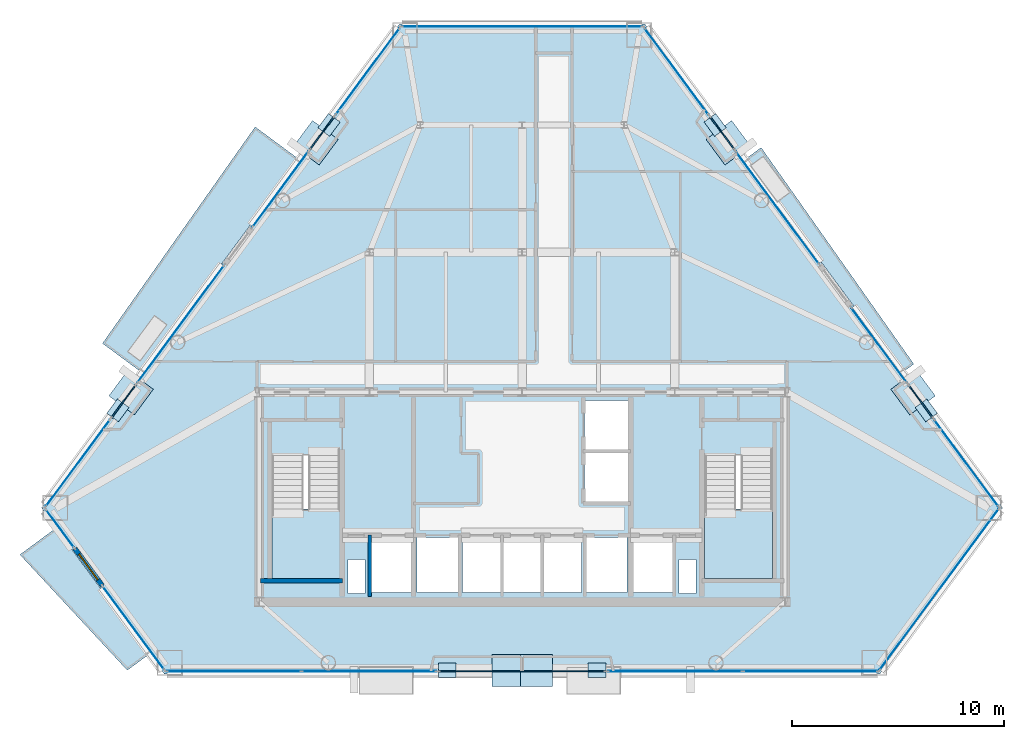
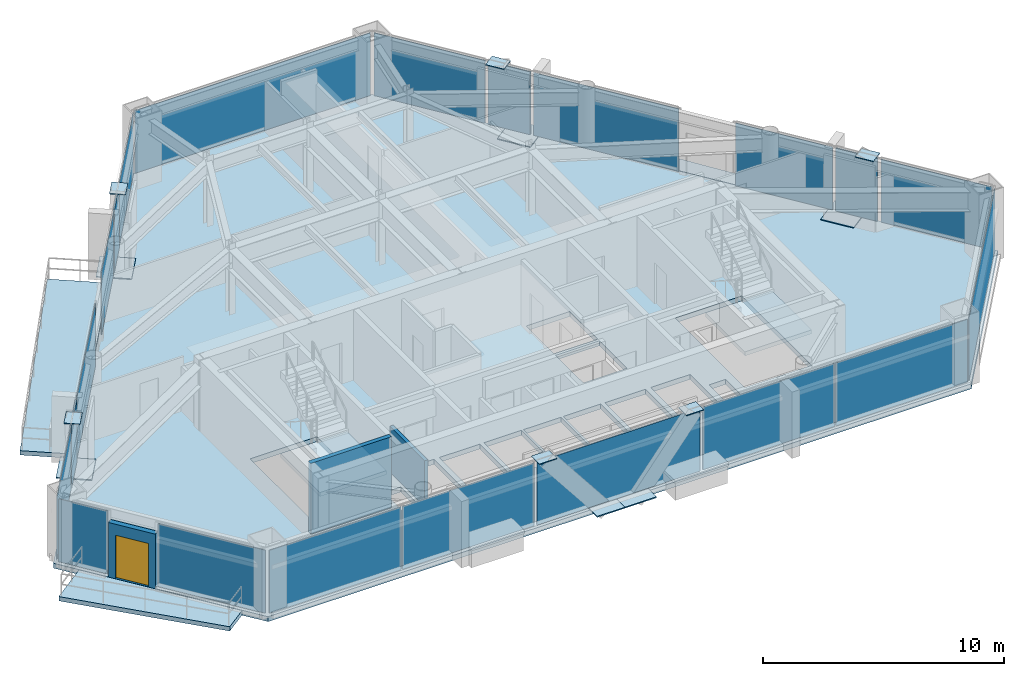
# One storey, part 6 of 11: 33 plates, 6 slabs, 3 walls, 1 door, 1 opening, 21 elements without a shape of their own.
"""IFC4 building model written with IfcOpenShell, lengths in metres."""

from ifc_helpers import new_model, si_unit, direction, frame, frame_2d, origin, origin_2d, place, context, subcontext, project, spatial, polyline, rectangle, outline, extrude, source, transform, mapped, material, layer, layer_set, type_object, type_shapes, element, fill, aggregate, save


model = new_model("IFC4")

# Units and contexts
model_context = context("Model", 3, precision=1e-05, world=origin(), true_north=direction((0.0, 1.0)))
body_context = subcontext(model_context, "Body", "Model", "MODEL_VIEW")
ifc_project = project(units=[si_unit("LENGTHUNIT", "METRE"), si_unit("AREAUNIT", "SQUARE_METRE"), si_unit("VOLUMEUNIT", "CUBIC_METRE"), si_unit("PLANEANGLEUNIT", "RADIAN"), si_unit("MASSUNIT", "GRAM", prefix="KILO")], contexts=[model_context])

# Site, building, storey
site_placement = place(None, origin())
site = spatial("IfcSite", under=ifc_project, at=site_placement, CompositionType="ELEMENT")
building_placement = place(site_placement, origin())
building = spatial("IfcBuilding", under=site, at=building_placement, Name="Talgorran Terracotta Tower", CompositionType="ELEMENT")
storey_placement = place(building_placement, frame((0.0, 0.0, 114.0)))
storey = spatial("IfcBuildingStorey", under=building, at=storey_placement, Name="L29", CompositionType="ELEMENT", Elevation=114.0)

# Plates
ifc_material_1 = material(Name="Steel Grade 350 (350L0)", Category="steel")
ifc_layer_1 = layer(ifc_material_1, 0.035888671875, Name="PL_CAP_MN06")
ifc_layer_set_1 = layer_set([ifc_layer_1], Name="Steel Grade 350 (350L0)")
plate_type_1 = type_object("IfcPlateType", Name="PL_CAP_MN06", PredefinedType="USERDEFINED", material=ifc_layer_set_1)
for number, where, z_axis, x_axis, name in (
    (1, (-3.528076171875, -17.3232421875, 3.2919921875), (0.0, 0.0, 1.0), (-1.0, 0.0, 0.0), "L29 Diagonal Frame End Cap SWF Top"),
    (2, (3.528076171875, -17.3232421875, 3.2919921875), (0.0, 0.0, 1.0), (1.0, 0.0, 0.0), "L29 Diagonal Frame End Cap SEF Top"),
    (3, (19.063720703125, -5.06103515625, 3.2919921875), (0.0, 0.0, 1.0), (0.594682478203, -0.803960664534, 0.0), "L29 Diagonal Frame End Cap NEL Top"),
    (4, (9.106689453125, 8.401123046875, 3.2919921875), (0.0, 0.0, 1.0), (-0.594682478203, 0.803960664534, 0.0), "L29 Diagonal Frame End Cap NEU Top"),
    (5, (-9.106689453125, 8.401123046875, 3.2919921875), (0.0, 0.0, 1.0), (0.594682478203, 0.803960664534, 0.0), "L29 Diagonal Frame End Cap NWU Top"),
    (6, (-19.063720703125, -5.06103515625, 3.2919921875), (0.0, 0.0, 1.0), (-0.594682478203, -0.803960664534, 0.0), "L29 Diagonal Frame End Cap NWL Top"),
):
    element("IfcPlate", number, at=place(storey_placement, frame(where, z_axis=z_axis, x_axis=x_axis)), inside=storey, type_object=plate_type_1, Name=name, ObjectType="CAP PLATE", PredefinedType="USERDEFINED", context=body_context, shape_type="SweptSolid", body=[
        extrude(rectangle(XDim=0.840087890625, YDim=0.679931640625, at=origin_2d()), origin(), (0.0, 0.0, 1.0), 0.035888671875),
    ])
ifc_layer_2 = layer(ifc_material_1, 0.054931640625, Name="PL_NODE_MN02")
ifc_layer_set_2 = layer_set([ifc_layer_2], Name="Steel Grade 350 (350L0)")
plate_type_2 = type_object("IfcPlateType", Name="PL_NODE_MN02", PredefinedType="USERDEFINED", material=ifc_layer_set_2)
for number, where, z_axis, x_axis, name in (
    (7, (-0.672119140625, -17.3232421875, -0.017578125), (0.0, 0.0, 1.0), (-1.0, 0.0, 0.0), "L29 Diagonal Frame End Cap SWF Bot"),
    (8, (0.672119140625, -17.3232421875, -0.017578125), (0.0, 0.0, 1.0), (1.0, 0.0, 0.0), "L29 Diagonal Frame End Cap SEF Bot"),
    (9, (18.443359375, -4.22265625, -0.017578125), (0.0, 0.0, 1.0), (0.594682478203, -0.803960664534, 0.0), "L29 Diagonal Frame End Cap NEL Bot"),
    (10, (9.72705078125, 7.5625, -0.017578125), (0.0, 0.0, 1.0), (-0.594682478203, 0.803960664534, 0.0), "L29 Diagonal Frame End Cap NEU Bot"),
    (11, (-9.72705078125, 7.5625, -0.017578125), (0.0, 0.0, 1.0), (0.594682478203, 0.803960664534, 0.0), "L29 Diagonal Frame End Cap NWU Bot"),
    (12, (-18.443359375, -4.22265625, -0.017578125), (0.0, 0.0, 1.0), (-0.594682478203, -0.803960664534, 0.0), "L29 Diagonal Frame End Cap NWL Bot"),
):
    element("IfcPlate", number, at=place(storey_placement, frame(where, z_axis=z_axis, x_axis=x_axis)), inside=storey, type_object=plate_type_2, Name=name, ObjectType="NODE PLATE", PredefinedType="USERDEFINED", context=body_context, shape_type="SweptSolid", body=[
        extrude(rectangle(XDim=1.5, YDim=1.5, at=origin_2d()), origin(), (0.0, 0.0, 1.0), 0.054931640625),
    ])

# Slabs
ifc_material_2 = material(Name="Concrete C40/50", Category="concrete")
ifc_layer_3 = layer(ifc_material_2, 0.219970703125, Name="SL_BALCONY_220")
ifc_layer_set_3 = layer_set([ifc_layer_3], Name="Concrete C40/50")
slab_type_1 = type_object("IfcSlabType", Name="SL_BALCONY_220", PredefinedType="FLOOR", material=ifc_layer_set_3)
slab_1_placement = place(storey_placement, frame((0.0, 0.0, -0.219970703125)))
element("IfcSlab", 13, at=slab_1_placement, inside=storey, type_object=slab_type_1, Name="L29 Outdoor Wave Balcony BAL-NE", PredefinedType="FLOOR", context=body_context, shape_type="SweptSolid", body=[
    extrude(outline(polyline([(10.523193359375, 6.780029296875), (17.95068359375, -3.26220703125), (18.47314453125, -2.8759765625), (11.273193359375, 7.334716796875), (10.523193359375, 6.780029296875)])), origin(), (0.0, 0.0, 1.0), 0.219970703125),
])
slab_2_placement = place(storey_placement, frame((0.0, 0.0, -0.219970703125)))
element("IfcSlab", 14, at=slab_2_placement, inside=storey, type_object=slab_type_1, Name="L29 Outdoor Wave Balcony BAL-NW", PredefinedType="FLOOR", context=body_context, shape_type="SweptSolid", body=[
    extrude(outline(polyline([(-17.95068359375, -3.26220703125), (-10.523193359375, 6.780029296875), (-12.58984375, 8.30859375), (-19.789794921875, -1.902099609375), (-17.95068359375, -3.26220703125)])), origin(), (0.0, 0.0, 1.0), 0.219970703125),
])
slab_3_placement = place(storey_placement, frame((0.0, 0.0, -0.219970703125)))
element("IfcSlab", 15, at=slab_3_placement, inside=storey, type_object=slab_type_1, Name="L29 Outdoor Wave Balcony BAL-SW", PredefinedType="FLOOR", context=body_context, shape_type="SweptSolid", body=[
    extrude(outline(polyline([(-17.586669921875, -16.5537109375), (-21.983154296875, -10.609375), (-23.682373046875, -11.8662109375), (-18.621337890625, -17.31884765625), (-17.586669921875, -16.5537109375)])), origin(), (0.0, 0.0, 1.0), 0.219970703125),
])

# Stair, slab
stair_type = type_object("IfcStairType", Name="ST_FIRE_SCISSOR", PredefinedType="HALF_TURN_STAIR", material=ifc_material_2)
stair_1_placement = place(storey_placement, origin())
stair_1 = element("IfcStair", 16, at=stair_1_placement, inside=storey, type_object=stair_type, Name="L29 West Protected Fire Stair ST-01", PredefinedType="HALF_TURN_STAIR")
ifc_layer_4 = layer(ifc_material_2, 0.199951171875, Name="SL_LANDING_200")
ifc_layer_set_4 = layer_set([ifc_layer_4], Name="Concrete C40/50")
slab_type_2 = type_object("IfcSlabType", Name="SL_LANDING_200", PredefinedType="LANDING", material=ifc_layer_set_4)
slab_4_placement = place(storey_placement, frame((0.0, 0.0, 1.60009765625)))
slab_4 = element("IfcSlab", 17, at=slab_4_placement, type_object=slab_type_2, Name="ST-01 landing 1", PredefinedType="LANDING", context=body_context, shape_type="SweptSolid", body=[
    extrude(outline(polyline([(-11.800048828125, -9.719970703125), (-11.800048828125, -13.0), (-8.60009765625, -13.0), (-8.60009765625, -9.719970703125), (-11.800048828125, -9.719970703125)])), origin(), (0.0, 0.0, 1.0), 0.199951171875),
])
aggregate(stair_1, [slab_4])

stair_2_placement = place(storey_placement, origin())
stair_2 = element("IfcStair", 18, at=stair_2_placement, inside=storey, type_object=stair_type, Name="L29 East Protected Fire Stair ST-02", PredefinedType="HALF_TURN_STAIR")
slab_5_placement = place(storey_placement, frame((0.0, 0.0, 1.60009765625)))
slab_5 = element("IfcSlab", 19, at=slab_5_placement, type_object=slab_type_2, Name="ST-02 landing 1", PredefinedType="LANDING", context=body_context, shape_type="SweptSolid", body=[
    extrude(outline(polyline([(8.60009765625, -9.719970703125), (8.60009765625, -13.0), (11.800048828125, -13.0), (11.800048828125, -9.719970703125), (8.60009765625, -9.719970703125)])), origin(), (0.0, 0.0, 1.0), 0.199951171875),
])
aggregate(stair_2, [slab_5])

# Slab
ifc_layer_5 = layer(ifc_material_2, 0.25, Name="SL_TOWER_250")
ifc_layer_set_5 = layer_set([ifc_layer_5], Name="Concrete C40/50")
slab_type_3 = type_object("IfcSlabType", Name="SL_TOWER_250", PredefinedType="FLOOR", material=ifc_layer_set_5)
slab_6_placement = place(storey_placement, frame((0.0, 0.0, -0.25)))
element("IfcSlab", 20, at=slab_6_placement, inside=storey, type_object=slab_type_3, Name="Storey L29 Structural Floor Slab", PredefinedType="FLOOR", context=body_context, shape_type="SweptSolid", body=[
    extrude(outline(polyline([(-22.665283203125, -9.661865234375), (-16.880615234375, -17.4833984375), (16.880615234375, -17.4833984375), (22.665283203125, -9.661865234375), (5.78466796875, 13.161865234375), (-5.78466796875, 13.161865234375), (-22.665283203125, -9.661865234375)]), holes=[polyline([(-11.800048828125, -7.199951171875), (-11.800048828125, -13.0), (-8.60009765625, -13.0), (-8.60009765625, -7.199951171875), (-11.800048828125, -7.199951171875)]), polyline([(8.60009765625, -7.199951171875), (8.60009765625, -13.0), (11.800048828125, -13.0), (11.800048828125, -7.199951171875), (8.60009765625, -7.199951171875)]), polyline([(-7.10009765625, -13.64990234375), (-5.199951171875, -13.64990234375), (-5.199951171875, -11.050048828125), (-7.10009765625, -11.050048828125), (-7.10009765625, -13.64990234375)]), polyline([(5.199951171875, -13.64990234375), (7.10009765625, -13.64990234375), (7.10009765625, -11.050048828125), (5.199951171875, -11.050048828125), (5.199951171875, -13.64990234375)]), polyline([(3.0, -13.64990234375), (4.949951171875, -13.64990234375), (4.949951171875, -11.050048828125), (3.0, -11.050048828125), (3.0, -13.64990234375)]), polyline([(-4.949951171875, -13.64990234375), (-3.0, -13.64990234375), (-3.0, -11.050048828125), (-4.949951171875, -11.050048828125), (-4.949951171875, -13.64990234375)]), polyline([(2.949951171875, -9.35009765625), (5.050048828125, -9.35009765625), (5.050048828125, -7.050048828125), (2.949951171875, -7.050048828125), (2.949951171875, -9.35009765625)]), polyline([(2.949951171875, -6.89990234375), (5.050048828125, -6.89990234375), (5.050048828125, -4.60009765625), (2.949951171875, -4.60009765625), (2.949951171875, -6.89990234375)]), polyline([(-2.800048828125, -13.64990234375), (-1.0, -13.64990234375), (-1.0, -11.050048828125), (-2.800048828125, -11.050048828125), (-2.800048828125, -13.64990234375)]), polyline([(-0.89990234375, -13.64990234375), (0.89990234375, -13.64990234375), (0.89990234375, -11.050048828125), (-0.89990234375, -11.050048828125), (-0.89990234375, -13.64990234375)]), polyline([(1.0, -13.64990234375), (2.800048828125, -13.64990234375), (2.800048828125, -11.050048828125), (1.0, -11.050048828125), (1.0, -13.64990234375)]), polyline([(-8.199951171875, -13.699951171875), (-7.39990234375, -13.699951171875), (-7.39990234375, -12.10009765625), (-8.199951171875, -12.10009765625), (-8.199951171875, -13.699951171875)]), polyline([(7.39990234375, -13.699951171875), (8.199951171875, -13.699951171875), (8.199951171875, -12.10009765625), (7.39990234375, -12.10009765625), (7.39990234375, -13.699951171875)])]), origin(), (0.0, 0.0, 1.0), 0.25),
])

# Curtain wall, plate
ifc_material_3 = material(Name="Unitised Low-E Double Glazing", Category="glass")
ifc_layer_6 = layer(ifc_material_3, 0.199951171875, Name="CW_SYS2_RES_LOW")
ifc_layer_set_6 = layer_set([ifc_layer_6], Name="Unitised Low-E Double Glazing")
curtain_wall_type = type_object("IfcCurtainWallType", Name="CW_SYS2_RES_LOW", PredefinedType="NOTDEFINED", material=ifc_layer_set_6)
curtain_wall_1_placement = place(storey_placement, origin())
curtain_wall_1 = element("IfcCurtainWall", 21, at=curtain_wall_1_placement, inside=storey, type_object=curtain_wall_type, Name="CW-L29-F10", PredefinedType="NOTDEFINED")
ifc_material_4 = material(Name="Low-E Laminated Vision Glass", Category="glass")
ifc_layer_7 = layer(ifc_material_4, 0.028076171875, Name="PLT_VISION_28")
ifc_layer_set_7 = layer_set([ifc_layer_7], Name="Low-E Laminated Vision Glass")
plate_type_3 = type_object("IfcPlateType", Name="PLT_VISION_28", PredefinedType="CURTAIN_PANEL", material=ifc_layer_set_7)
shared_shape_1 = source(origin(), body_context, "Body", "SweptSolid", [
    extrude(rectangle(XDim=2.217529296875, YDim=0.028076171875, at=origin_2d()), origin(), (0.0, 0.0, 1.0), 3.18994140625),
])
plate_1_placement = place(storey_placement, frame((-21.794189453125, -10.6376953125, 0.06494140625), z_axis=(0.0, 0.0, 1.0), x_axis=(0.594649753428, -0.803984869726, 0.0)))
plate_1 = element("IfcPlate", 22, at=plate_1_placement, type_object=plate_type_3, Name="CW-L29-10 panel 1.1", PredefinedType="CURTAIN_PANEL", context=body_context, shape_type="MappedRepresentation", body=[
    mapped(shared_shape_1, transform((0.0, 0.0, 0.0), scale=1.0)),
])
aggregate(curtain_wall_1, [plate_1])

curtain_wall_2_placement = place(storey_placement, origin())
curtain_wall_2 = element("IfcCurtainWall", 23, at=curtain_wall_2_placement, inside=storey, type_object=curtain_wall_type, Name="CW-L29-F11", PredefinedType="NOTDEFINED")
shared_shape_2 = source(origin(), body_context, "Body", "SweptSolid", [
    extrude(rectangle(XDim=4.861328125, YDim=0.028076171875, at=origin_2d()), origin(), (0.0, 0.0, 1.0), 3.18994140625),
])
plate_2_placement = place(storey_placement, frame((-18.327880859375, -15.32470703125, 0.06494140625), z_axis=(0.0, 0.0, 1.0), x_axis=(0.594646214814, -0.803987486972, 0.0)))
plate_2 = element("IfcPlate", 24, at=plate_2_placement, type_object=plate_type_3, Name="CW-L29-11 panel 1.1", PredefinedType="CURTAIN_PANEL", context=body_context, shape_type="MappedRepresentation", body=[
    mapped(shared_shape_2, transform((0.0, 0.0, 0.0), scale=1.0)),
])
aggregate(curtain_wall_2, [plate_2])

# Curtain wall, plates
curtain_wall_3_placement = place(storey_placement, origin())
curtain_wall_3 = element("IfcCurtainWall", 25, at=curtain_wall_3_placement, inside=storey, type_object=curtain_wall_type, Name="CW-L29-F1", PredefinedType="NOTDEFINED")
shared_shape_3 = source(origin(), body_context, "Body", "SweptSolid", [
    extrude(rectangle(XDim=6.318115234375, YDim=0.028076171875, at=origin_2d()), origin(), (0.0, 0.0, 1.0), 3.18994140625),
])
plate_3_placement = place(storey_placement, frame((-13.595947265625, -17.36328125, 0.06494140625), z_axis=(0.0, 0.0, 1.0), x_axis=(1.0, 0.0, 0.0)))
plate_3 = element("IfcPlate", 26, at=plate_3_placement, type_object=plate_type_3, Name="CW-L29-1 panel 1.1", PredefinedType="CURTAIN_PANEL", context=body_context, shape_type="MappedRepresentation", body=[
    mapped(shared_shape_3, transform((0.0, 0.0, 0.0), scale=1.0)),
])
plate_4_placement = place(storey_placement, frame((-7.212890625, -17.36328125, 0.06494140625), z_axis=(0.0, 0.0, 1.0), x_axis=(1.0, 0.0, 0.0)))
plate_4 = element("IfcPlate", 27, at=plate_4_placement, type_object=plate_type_3, Name="CW-L29-1 panel 2.1", PredefinedType="CURTAIN_PANEL", context=body_context, shape_type="MappedRepresentation", body=[
    mapped(shared_shape_3, transform((0.0, 0.0, 0.0), scale=1.0)),
])
aggregate(curtain_wall_3, [plate_3, plate_4])

curtain_wall_4_placement = place(storey_placement, origin())
curtain_wall_4 = element("IfcCurtainWall", 28, at=curtain_wall_4_placement, inside=storey, type_object=curtain_wall_type, Name="CW-L29-F1C", PredefinedType="NOTDEFINED")
plate_5_placement = place(storey_placement, frame((7.212890625, -17.36328125, 0.06494140625), z_axis=(0.0, 0.0, 1.0), x_axis=(1.0, 0.0, 0.0)))
plate_5 = element("IfcPlate", 29, at=plate_5_placement, type_object=plate_type_3, Name="CW-L29-1C panel 1.1", PredefinedType="CURTAIN_PANEL", context=body_context, shape_type="MappedRepresentation", body=[
    mapped(shared_shape_3, transform((0.0, 0.0, 0.0), scale=1.0)),
])
plate_6_placement = place(storey_placement, frame((13.595947265625, -17.36328125, 0.06494140625), z_axis=(0.0, 0.0, 1.0), x_axis=(1.0, 0.0, 0.0)))
plate_6 = element("IfcPlate", 30, at=plate_6_placement, type_object=plate_type_3, Name="CW-L29-1C panel 2.1", PredefinedType="CURTAIN_PANEL", context=body_context, shape_type="MappedRepresentation", body=[
    mapped(shared_shape_3, transform((0.0, 0.0, 0.0), scale=1.0)),
])
aggregate(curtain_wall_4, [plate_5, plate_6])

# Curtain wall, plate
curtain_wall_5_placement = place(storey_placement, origin())
curtain_wall_5 = element("IfcCurtainWall", 31, at=curtain_wall_5_placement, inside=storey, type_object=curtain_wall_type, Name="CW-L29-F1B", PredefinedType="NOTDEFINED")
ifc_material_5 = material(Name="Terracotta Insulated Spandrel", Category="masonry")
ifc_layer_8 = layer(ifc_material_5, 0.06494140625, Name="PLT_SPANDREL_TERRA")
ifc_layer_set_8 = layer_set([ifc_layer_8], Name="Terracotta Insulated Spandrel")
plate_type_4 = type_object("IfcPlateType", Name="PLT_SPANDREL_TERRA", PredefinedType="SHEET", material=ifc_layer_set_8)
shared_shape_4 = source(origin(), body_context, "Body", "SweptSolid", [
    extrude(rectangle(XDim=7.827880859375, YDim=0.06494140625, at=origin_2d()), origin(), (0.0, 0.0, 1.0), 3.18994140625),
])
plate_7_placement = place(storey_placement, frame((0.0, -17.36328125, 0.06494140625), z_axis=(0.0, 0.0, 1.0), x_axis=(1.0, 0.0, 0.0)))
plate_7 = element("IfcPlate", 32, at=plate_7_placement, type_object=plate_type_4, Name="CW-L29-1B panel 1.1", PredefinedType="CURTAIN_PANEL", context=body_context, shape_type="MappedRepresentation", body=[
    mapped(shared_shape_4, transform((0.0, 0.0, 0.0), scale=1.0)),
])
aggregate(curtain_wall_5, [plate_7])

curtain_wall_6_placement = place(storey_placement, origin())
curtain_wall_6 = element("IfcCurtainWall", 33, at=curtain_wall_6_placement, inside=storey, type_object=curtain_wall_type, Name="CW-L29-F2", PredefinedType="NOTDEFINED")
shared_shape_5 = source(origin(), body_context, "Body", "SweptSolid", [
    extrude(rectangle(XDim=9.448974609375, YDim=0.028076171875, at=origin_2d()), origin(), (0.0, 0.0, 1.0), 3.18994140625),
])
plate_8_placement = place(storey_placement, frame((19.66796875, -13.5126953125, 0.06494140625), z_axis=(0.0, 0.0, 1.0), x_axis=(0.594638188027, 0.803993423692, 0.0)))
plate_8 = element("IfcPlate", 34, at=plate_8_placement, type_object=plate_type_3, Name="CW-L29-2 panel 1.1", PredefinedType="CURTAIN_PANEL", context=body_context, shape_type="MappedRepresentation", body=[
    mapped(shared_shape_5, transform((0.0, 0.0, 0.0), scale=1.0)),
])
aggregate(curtain_wall_6, [plate_8])

curtain_wall_7_placement = place(storey_placement, origin())
curtain_wall_7 = element("IfcCurtainWall", 35, at=curtain_wall_7_placement, inside=storey, type_object=curtain_wall_type, Name="CW-L29-F40", PredefinedType="NOTDEFINED")
shared_shape_6 = source(origin(), body_context, "Body", "SweptSolid", [
    extrude(rectangle(XDim=5.05224609375, YDim=0.028076171875, at=origin_2d()), origin(), (0.0, 0.0, 1.0), 3.18994140625),
])
plate_9_placement = place(storey_placement, frame((20.951416015625, -7.54638671875, 0.06494140625), z_axis=(0.0, 0.0, 1.0), x_axis=(-0.594638993005, 0.803992828325, 0.0)))
plate_9 = element("IfcPlate", 36, at=plate_9_placement, type_object=plate_type_3, Name="CW-L29-40 panel 1.1", PredefinedType="CURTAIN_PANEL", context=body_context, shape_type="MappedRepresentation", body=[
    mapped(shared_shape_6, transform((0.0, 0.0, 0.0), scale=1.0)),
])
aggregate(curtain_wall_7, [plate_9])

curtain_wall_8_placement = place(storey_placement, origin())
curtain_wall_8 = element("IfcCurtainWall", 37, at=curtain_wall_8_placement, inside=storey, type_object=curtain_wall_type, Name="CW-L29-F61C", PredefinedType="NOTDEFINED")
plate_10_placement = place(storey_placement, frame((-20.951416015625, -7.54638671875, 0.06494140625), z_axis=(0.0, 0.0, 1.0), x_axis=(-0.594638993005, -0.803992828325, 0.0)))
plate_10 = element("IfcPlate", 38, at=plate_10_placement, type_object=plate_type_3, Name="CW-L29-61C panel 1.1", PredefinedType="CURTAIN_PANEL", context=body_context, shape_type="MappedRepresentation", body=[
    mapped(shared_shape_6, transform((0.0, 0.0, 0.0), scale=1.0)),
])
aggregate(curtain_wall_8, [plate_10])

curtain_wall_9_placement = place(storey_placement, origin())
curtain_wall_9 = element("IfcCurtainWall", 39, at=curtain_wall_9_placement, inside=storey, type_object=curtain_wall_type, Name="CW-L29-F40B", PredefinedType="NOTDEFINED")
shared_shape_7 = source(origin(), body_context, "Body", "SweptSolid", [
    extrude(rectangle(XDim=1.90576171875, YDim=0.06494140625, at=origin_2d()), origin(), (0.0, 0.0, 1.0), 3.18994140625),
])
type_shapes(plate_type_4, [shared_shape_4, shared_shape_7])
plate_11_placement = place(storey_placement, frame((18.799560546875, -4.636962890625, 0.06494140625), z_axis=(0.0, 0.0, 1.0), x_axis=(-0.59463412681, 0.803996427376, 0.0)))
plate_11 = element("IfcPlate", 40, at=plate_11_placement, type_object=plate_type_4, Name="CW-L29-40B panel 1.1", PredefinedType="CURTAIN_PANEL", context=body_context, shape_type="MappedRepresentation", body=[
    mapped(shared_shape_7, transform((0.0, 0.0, 0.0), scale=1.0)),
])
aggregate(curtain_wall_9, [plate_11])

curtain_wall_10_placement = place(storey_placement, origin())
curtain_wall_10 = element("IfcCurtainWall", 41, at=curtain_wall_10_placement, inside=storey, type_object=curtain_wall_type, Name="CW-L29-F41B", PredefinedType="NOTDEFINED")
plate_12_placement = place(storey_placement, frame((9.43505859375, 8.0244140625, 0.06494140625), z_axis=(0.0, 0.0, 1.0), x_axis=(-0.594642394912, 0.803990312239, 0.0)))
plate_12 = element("IfcPlate", 42, at=plate_12_placement, type_object=plate_type_4, Name="CW-L29-41B panel 1.1", PredefinedType="CURTAIN_PANEL", context=body_context, shape_type="MappedRepresentation", body=[
    mapped(shared_shape_7, transform((0.0, 0.0, 0.0), scale=1.0)),
])
aggregate(curtain_wall_10, [plate_12])

curtain_wall_11_placement = place(storey_placement, origin())
curtain_wall_11 = element("IfcCurtainWall", 43, at=curtain_wall_11_placement, inside=storey, type_object=curtain_wall_type, Name="CW-L29-F60B", PredefinedType="NOTDEFINED")
plate_13_placement = place(storey_placement, frame((-9.43505859375, 8.0244140625, 0.06494140625), z_axis=(0.0, 0.0, 1.0), x_axis=(-0.59461064256, -0.804013795749, 0.0)))
plate_13 = element("IfcPlate", 44, at=plate_13_placement, type_object=plate_type_4, Name="CW-L29-60B panel 1.1", PredefinedType="CURTAIN_PANEL", context=body_context, shape_type="MappedRepresentation", body=[
    mapped(shared_shape_7, transform((0.0, 0.0, 0.0), scale=1.0)),
])
aggregate(curtain_wall_11, [plate_13])

curtain_wall_12_placement = place(storey_placement, origin())
curtain_wall_12 = element("IfcCurtainWall", 45, at=curtain_wall_12_placement, inside=storey, type_object=curtain_wall_type, Name="CW-L29-F61B", PredefinedType="NOTDEFINED")
plate_14_placement = place(storey_placement, frame((-18.799560546875, -4.636962890625, 0.06494140625), z_axis=(0.0, 0.0, 1.0), x_axis=(-0.594665879037, -0.803972942523, 0.0)))
plate_14 = element("IfcPlate", 46, at=plate_14_placement, type_object=plate_type_4, Name="CW-L29-61B panel 1.1", PredefinedType="CURTAIN_PANEL", context=body_context, shape_type="MappedRepresentation", body=[
    mapped(shared_shape_7, transform((0.0, 0.0, 0.0), scale=1.0)),
])
aggregate(curtain_wall_12, [plate_14])

curtain_wall_13_placement = place(storey_placement, origin())
curtain_wall_13 = element("IfcCurtainWall", 47, at=curtain_wall_13_placement, inside=storey, type_object=curtain_wall_type, Name="CW-L29-F40C", PredefinedType="NOTDEFINED")
shared_shape_8 = source(origin(), body_context, "Body", "SweptSolid", [
    extrude(rectangle(XDim=4.392578125, YDim=0.028076171875, at=origin_2d()), origin(), (0.0, 0.0, 1.0), 3.18994140625),
])
plate_15_placement = place(storey_placement, frame((16.843505859375, -1.992431640625, 0.06494140625), z_axis=(0.0, 0.0, 1.0), x_axis=(-0.594640961093, 0.803991372709, 0.0)))
plate_15 = element("IfcPlate", 48, at=plate_15_placement, type_object=plate_type_3, Name="CW-L29-40C panel 1.1", PredefinedType="CURTAIN_PANEL", context=body_context, shape_type="MappedRepresentation", body=[
    mapped(shared_shape_8, transform((0.0, 0.0, 0.0), scale=1.0)),
])
aggregate(curtain_wall_13, [plate_15])

curtain_wall_14_placement = place(storey_placement, origin())
curtain_wall_14 = element("IfcCurtainWall", 49, at=curtain_wall_14_placement, inside=storey, type_object=curtain_wall_type, Name="CW-L29-F41", PredefinedType="NOTDEFINED")
shared_shape_9 = source(origin(), body_context, "Body", "SweptSolid", [
    extrude(rectangle(XDim=6.57958984375, YDim=0.028076171875, at=origin_2d()), origin(), (0.0, 0.0, 1.0), 3.18994140625),
])
plate_16_placement = place(storey_placement, frame((12.041259765625, 4.500732421875, 0.06494140625), z_axis=(0.0, 0.0, 1.0), x_axis=(-0.594637859291, 0.803993666827, 0.0)))
plate_16 = element("IfcPlate", 50, at=plate_16_placement, type_object=plate_type_3, Name="CW-L29-41 panel 1.1", PredefinedType="CURTAIN_PANEL", context=body_context, shape_type="MappedRepresentation", body=[
    mapped(shared_shape_9, transform((0.0, 0.0, 0.0), scale=1.0)),
])
aggregate(curtain_wall_14, [plate_16])

curtain_wall_15_placement = place(storey_placement, origin())
curtain_wall_15 = element("IfcCurtainWall", 51, at=curtain_wall_15_placement, inside=storey, type_object=curtain_wall_type, Name="CW-L29-F41C", PredefinedType="NOTDEFINED")
shared_shape_10 = source(origin(), body_context, "Body", "SweptSolid", [
    extrude(rectangle(XDim=5.042724609375, YDim=0.028076171875, at=origin_2d()), origin(), (0.0, 0.0, 1.0), 3.18994140625),
])
plate_17_placement = place(storey_placement, frame((7.285888671875, 10.93017578125, 0.06494140625), z_axis=(0.0, 0.0, 1.0), x_axis=(-0.594632376829, 0.803997721655, 0.0)))
plate_17 = element("IfcPlate", 52, at=plate_17_placement, type_object=plate_type_3, Name="CW-L29-41C panel 1.1", PredefinedType="CURTAIN_PANEL", context=body_context, shape_type="MappedRepresentation", body=[
    mapped(shared_shape_10, transform((0.0, 0.0, 0.0), scale=1.0)),
])
aggregate(curtain_wall_15, [plate_17])

curtain_wall_16_placement = place(storey_placement, origin())
curtain_wall_16 = element("IfcCurtainWall", 53, at=curtain_wall_16_placement, inside=storey, type_object=curtain_wall_type, Name="CW-L29-F60", PredefinedType="NOTDEFINED")
plate_18_placement = place(storey_placement, frame((-7.285888671875, 10.93017578125, 0.06494140625), z_axis=(0.0, 0.0, 1.0), x_axis=(-0.594632376829, -0.803997721655, 0.0)))
plate_18 = element("IfcPlate", 54, at=plate_18_placement, type_object=plate_type_3, Name="CW-L29-60 panel 1.1", PredefinedType="CURTAIN_PANEL", context=body_context, shape_type="MappedRepresentation", body=[
    mapped(shared_shape_10, transform((0.0, 0.0, 0.0), scale=1.0)),
])
aggregate(curtain_wall_16, [plate_18])

curtain_wall_17_placement = place(storey_placement, origin())
curtain_wall_17 = element("IfcCurtainWall", 55, at=curtain_wall_17_placement, inside=storey, type_object=curtain_wall_type, Name="CW-L29-F4", PredefinedType="NOTDEFINED")
shared_shape_11 = source(origin(), body_context, "Body", "SweptSolid", [
    extrude(rectangle(XDim=11.318359375, YDim=0.028076171875, at=origin_2d()), origin(), (0.0, 0.0, 1.0), 3.18994140625),
])
plate_19_placement = place(storey_placement, frame((0.0, 13.0419921875, 0.06494140625), z_axis=(0.0, 0.0, 1.0), x_axis=(-1.0, 0.0, 0.0)))
plate_19 = element("IfcPlate", 56, at=plate_19_placement, type_object=plate_type_3, Name="CW-L29-4 panel 1.1", PredefinedType="CURTAIN_PANEL", context=body_context, shape_type="MappedRepresentation", body=[
    mapped(shared_shape_11, transform((0.0, 0.0, 0.0), scale=1.0)),
])
aggregate(curtain_wall_17, [plate_19])

curtain_wall_18_placement = place(storey_placement, origin())
curtain_wall_18 = element("IfcCurtainWall", 57, at=curtain_wall_18_placement, inside=storey, type_object=curtain_wall_type, Name="CW-L29-F60C", PredefinedType="NOTDEFINED")
shared_shape_12 = source(origin(), body_context, "Body", "SweptSolid", [
    extrude(rectangle(XDim=4.408447265625, YDim=0.028076171875, at=origin_2d()), origin(), (0.0, 0.0, 1.0), 3.18994140625),
])
plate_20_placement = place(storey_placement, frame((-11.395751953125, 5.37353515625, 0.06494140625), z_axis=(0.0, 0.0, 1.0), x_axis=(-0.594631415174, -0.803998432889, 0.0)))
plate_20 = element("IfcPlate", 58, at=plate_20_placement, type_object=plate_type_3, Name="CW-L29-60C panel 1.1", PredefinedType="CURTAIN_PANEL", context=body_context, shape_type="MappedRepresentation", body=[
    mapped(shared_shape_12, transform((0.0, 0.0, 0.0), scale=1.0)),
])
aggregate(curtain_wall_18, [plate_20])

curtain_wall_19_placement = place(storey_placement, origin())
curtain_wall_19 = element("IfcCurtainWall", 59, at=curtain_wall_19_placement, inside=storey, type_object=curtain_wall_type, Name="CW-L29-F61", PredefinedType="NOTDEFINED")
shared_shape_13 = source(origin(), body_context, "Body", "SweptSolid", [
    extrude(rectangle(XDim=6.86376953125, YDim=0.028076171875, at=origin_2d()), origin(), (0.0, 0.0, 1.0), 3.18994140625),
])
type_shapes(plate_type_3, [shared_shape_1, shared_shape_2, shared_shape_3, shared_shape_5, shared_shape_6, shared_shape_8, shared_shape_9, shared_shape_10, shared_shape_11, shared_shape_12, shared_shape_13])
plate_21_placement = place(storey_placement, frame((-16.10888671875, -0.9990234375, 0.06494140625), z_axis=(0.0, 0.0, 1.0), x_axis=(-0.59463547309, -0.803995431668, 0.0)))
plate_21 = element("IfcPlate", 60, at=plate_21_placement, type_object=plate_type_3, Name="CW-L29-61 panel 1.1", PredefinedType="CURTAIN_PANEL", context=body_context, shape_type="MappedRepresentation", body=[
    mapped(shared_shape_13, transform((0.0, 0.0, 0.0), scale=1.0)),
])
aggregate(curtain_wall_19, [plate_21])

# Wall, opening, door
ifc_layer_9 = layer(ifc_material_2, 0.239990234375, Name="WT_BALCONY_SPAND")
ifc_layer_set_9 = layer_set([ifc_layer_9], Name="Concrete C40/50")
wall_type_1 = type_object("IfcWallType", Name="WT_BALCONY_SPAND", PredefinedType="STANDARD", material=ifc_layer_set_9)
wall_1_placement = place(storey_placement, frame((-21.09033203125, -11.589599609375, -0.014892578125), z_axis=(0.0, 0.0, 1.0), x_axis=(0.594638042479, -0.80399353134, 0.0)))
wall_1 = element("IfcWall", 61, at=wall_1_placement, inside=storey, type_object=wall_type_1, Name="WL-L29-BALP-BAL-SW", PredefinedType="STANDARD", context=body_context, shape_type="SweptSolid", body=[
    extrude(rectangle(XDim=2.139892578125, YDim=0.239990234375, at=frame_2d((1.06982421875, 0.0))), origin(), (0.0, 0.0, 1.0), 2.77685546875),
])
opening_placement = place(wall_1_placement, frame((0.320068359375, 0.0, 0.014892578125)))
opening = element("IfcOpeningElement", 62, at=opening_placement, cuts=wall_1, Name="Opening D-BAL-L29-3", PredefinedType="OPENING", context=body_context, shape_type="SweptSolid", body=[
    extrude(rectangle(XDim=1.506, YDim=2.203951171875, at=frame_2d((0.75, 1.10205078125))), frame((0.0, 0.1298828125, 0.0), z_axis=(0.0, -1.0, 0.0), x_axis=(1.0, 0.0, 0.0)), (0.0, 0.0, 1.0), 0.260009765625),
])
ifc_material_6 = material(Name="Thermally Broken Aluminium", Category="aluminium")
door_type = type_object("IfcDoorType", Name="DT_BALC_1500", OperationType="SLIDING_TO_RIGHT", PredefinedType="DOOR", material=ifc_material_6)
door_placement = place(opening_placement, origin())
door = element("IfcDoor", 63, at=door_placement, inside=storey, type_object=door_type, Name="DR-L29-BAL-BAL-SW", OperationType="SLIDING_TO_RIGHT", OverallHeight=2.199951171875, OverallWidth=1.5, PredefinedType="DOOR", context=body_context, shape_type="SweptSolid", body=[
    extrude(rectangle(XDim=1.5, YDim=2.199951171875, at=frame_2d((0.75, 1.10009765625))), frame((0.0, 0.02490234375, 0.0), z_axis=(0.0, -1.0, 0.0), x_axis=(1.0, 0.0, 0.0)), (0.0, 0.0, 1.0), 0.050048828125),
])
fill(opening, door)

# Walls
ifc_material_7 = material(Name="Concrete C50/60", Category="concrete")
ifc_layer_10 = layer(ifc_material_7, 0.199951171875, Name="WT_CORE_200")
ifc_layer_set_10 = layer_set([ifc_layer_10], Name="Concrete C50/60")
wall_type_2 = type_object("IfcWallType", Name="WT_CORE_200", PredefinedType="SOLIDWALL", material=ifc_layer_set_10)
wall_2_placement = place(storey_placement, frame((-12.35009765625, -13.10009765625, 0.0), z_axis=(0.0, 0.0, 1.0), x_axis=(1.0, 0.0, 0.0)))
element("IfcWall", 64, at=wall_2_placement, inside=storey, type_object=wall_type_2, Name="WL-L29-CW-ST1-S", PredefinedType="SOLIDWALL", context=body_context, shape_type="SweptSolid", body=[
    extrude(rectangle(XDim=3.8701171875, YDim=0.199951171875, at=frame_2d((1.93505859375, 0.0))), origin(), (0.0, 0.0, 1.0), 3.60009765625),
])
ifc_material_8 = material(Name="Fire-Rated Shaftwall")
ifc_layer_11 = layer(ifc_material_8, 0.159912109375, Name="WT_PART_150")
ifc_layer_set_11 = layer_set([ifc_layer_11], Name="Fire-Rated Shaftwall")
wall_type_3 = type_object("IfcWallType", Name="WT_PART_150", PredefinedType="PARTITIONING", material=ifc_layer_set_11)
wall_3_placement = place(storey_placement, frame((-7.179931640625, -13.85009765625, 0.0), z_axis=(0.0, 0.0, 1.0), x_axis=(0.0, 1.0, 0.0)))
element("IfcWall", 65, at=wall_3_placement, inside=storey, type_object=wall_type_3, Name="WL-L29-CW-RSW", PredefinedType="PARTITIONING", context=body_context, shape_type="SweptSolid", body=[
    extrude(rectangle(XDim=2.900146484375, YDim=0.159912109375, at=frame_2d((1.4501953125, 0.0))), origin(), (0.0, 0.0, 1.0), 2.344970703125),
])

save(model, "model.ifc")
